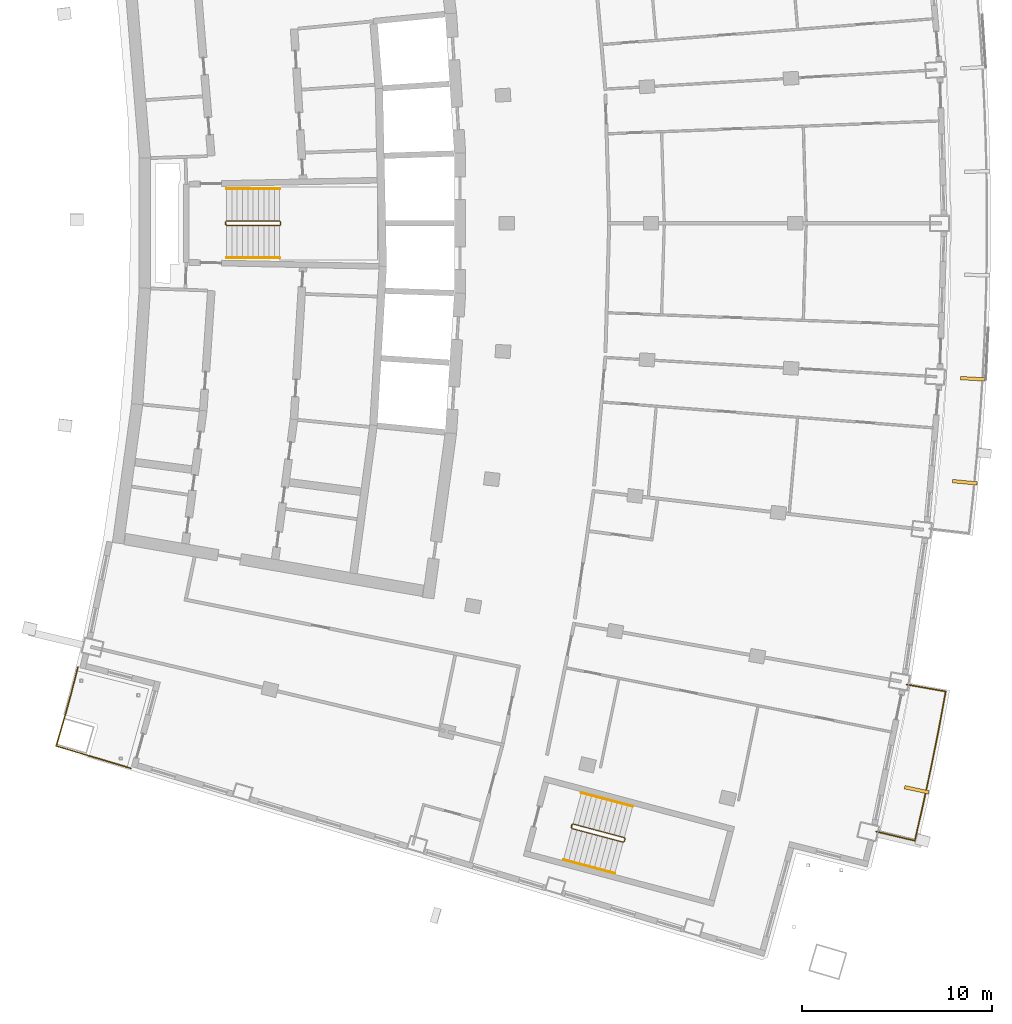
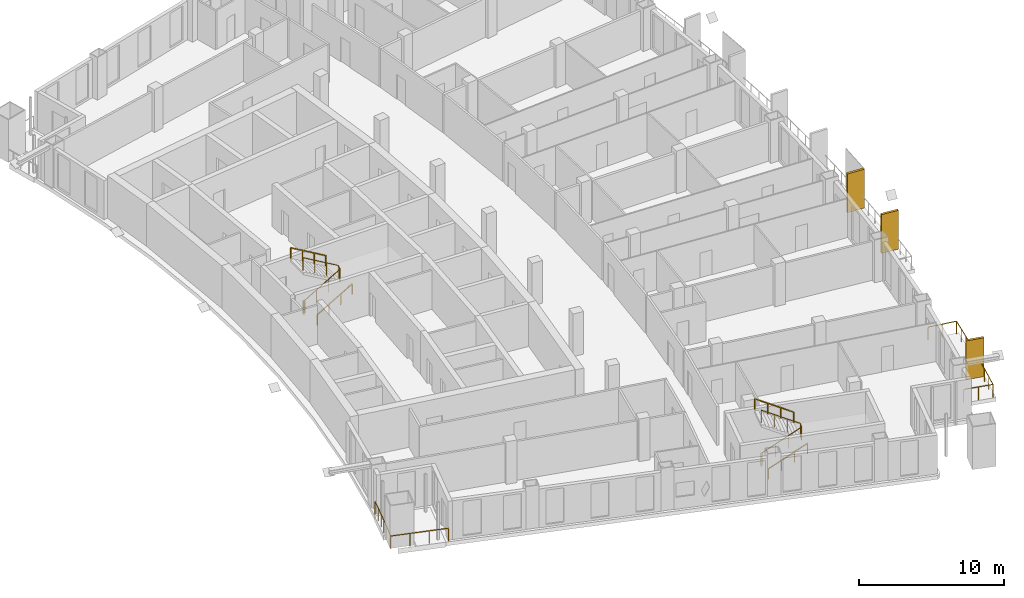
# One storey, part 17 of 19: 8 railings, 3 shading devices.
"""IFC4 building model written with IfcOpenShell, lengths in metres."""

from ifc_helpers import new_model, si_unit, direction, frame, origin, origin_with_axes, origin_2d, place, context, subcontext, project, spatial, rectangle, extrude, material, layer, layer_set, type_object, element, save


model = new_model("IFC4")

# Units and contexts
model_context = context("Model", 3, precision=1e-05, world=origin(), true_north=direction((0.0, 1.0)))
body_context = subcontext(model_context, "Body", "Model", "MODEL_VIEW")
ifc_project = project(units=[si_unit("LENGTHUNIT", "METRE"), si_unit("AREAUNIT", "SQUARE_METRE"), si_unit("VOLUMEUNIT", "CUBIC_METRE"), si_unit("PLANEANGLEUNIT", "RADIAN"), si_unit("MASSUNIT", "GRAM", prefix="KILO")], contexts=[model_context])

# Site, building, storey
site_placement = place(None, origin())
site = spatial("IfcSite", under=ifc_project, at=site_placement, CompositionType="ELEMENT")
building_placement = place(site_placement, origin())
building = spatial("IfcBuilding", under=site, at=building_placement, Name="Alderwake Tower", CompositionType="ELEMENT")
storey_placement = place(building_placement, frame((0.0, 0.0, 196.39990234375)))
storey = spatial("IfcBuildingStorey", under=building, at=storey_placement, Name="L48", CompositionType="ELEMENT", Elevation=196.39990234375)

# Railings
ifc_material_1 = material(Name="Stainless steel 316 rail and posts", Category="steel")
railing_type_1 = type_object("IfcRailingType", Name="Balcony guard 1100", PredefinedType="GUARDRAIL", material=ifc_material_1)
railing_1_placement = place(storey_placement, frame((55.256103515625, 28.9560546875, 0.0)))
element("IfcRailing", 1, at=railing_1_placement, inside=storey, type_object=railing_type_1, Name="Guard BF03", PredefinedType="GUARDRAIL", context=body_context, shape_type="SweptSolid", body=[
    extrude(rectangle(XDim=0.048095703125, YDim=0.048095703125, at=origin_2d()), frame((0.0, 0.0, 1.076171875), z_axis=(0.973057638874, -0.230561990427, 0.0), x_axis=(0.230561990427, 0.973057638874, 0.0)), (0.0, 0.0, 1.0), 2.099853515625),
    extrude(rectangle(XDim=0.048095703125, YDim=0.048095703125, at=origin_2d()), frame((2.043212890625, -0.484130859375, 1.076171875), z_axis=(0.223857490516, 0.974621887677, 0.0), x_axis=(-0.974621887677, 0.223857490516, 0.0)), (0.0, 0.0, 1.0), 1.95751953125),
    extrude(rectangle(XDim=0.048095703125, YDim=0.048095703125, at=origin_2d()), frame((2.4814453125, 1.423828125, 1.076171875), z_axis=(0.209877477425, 0.977727694437, 0.0), x_axis=(-0.977727694437, 0.209877477425, 0.0)), (0.0, 0.0, 1.0), 2.057861328125),
    extrude(rectangle(XDim=0.048095703125, YDim=0.048095703125, at=origin_2d()), frame((2.913330078125, 3.435791015625, 1.076171875), z_axis=(0.195659753975, 0.980671841481, 0.0), x_axis=(-0.980671841481, 0.195659753975, 0.0)), (0.0, 0.0, 1.0), 2.0576171875),
    extrude(rectangle(XDim=0.048095703125, YDim=0.048095703125, at=origin_2d()), frame((3.31591796875, 5.45361328125, 1.076171875), z_axis=(0.181562321204, 0.983379440256, 0.0), x_axis=(-0.983379440256, 0.181562321204, 0.0)), (0.0, 0.0, 1.0), 1.957763671875),
    extrude(rectangle(XDim=0.048095703125, YDim=0.048095703125, at=origin_2d()), frame((3.67138671875, 7.37890625, 1.076171875), z_axis=(-0.984614556243, 0.174740309131, 0.0), x_axis=(-0.174740309131, -0.984614556243, 0.0)), (0.0, 0.0, 1.0), 2.099853515625),
    extrude(rectangle(XDim=0.0419921875, YDim=0.0419921875, at=origin_2d()), frame((0.0, 0.0, 0.0), z_axis=(0.0, 0.0, 1.0), x_axis=(0.973057638874, -0.230561990427, 0.0)), (0.0, 0.0, 1.0), 1.052001953125),
    extrude(rectangle(XDim=0.0419921875, YDim=0.0419921875, at=origin_2d()), frame((1.021484375, -0.2421875, 0.0), z_axis=(0.0, 0.0, 1.0), x_axis=(0.973057638874, -0.230561990427, 0.0)), (0.0, 0.0, 1.0), 1.052001953125),
    extrude(rectangle(XDim=0.0419921875, YDim=0.0419921875, at=origin_2d()), frame((2.043212890625, -0.484130859375, 0.0), z_axis=(0.0, 0.0, 1.0), x_axis=(0.223857490516, 0.974621887677, 0.0)), (0.0, 0.0, 1.0), 1.052001953125),
    extrude(rectangle(XDim=0.0419921875, YDim=0.0419921875, at=origin_2d()), frame((2.26220703125, 0.4697265625, 0.0), z_axis=(0.0, 0.0, 1.0), x_axis=(0.223857490516, 0.974621887677, 0.0)), (0.0, 0.0, 1.0), 1.052001953125),
    extrude(rectangle(XDim=0.0419921875, YDim=0.0419921875, at=origin_2d()), frame((2.4814453125, 1.423828125, 0.0), z_axis=(0.0, 0.0, 1.0), x_axis=(0.209877477425, 0.977727694437, 0.0)), (0.0, 0.0, 1.0), 1.052001953125),
    extrude(rectangle(XDim=0.0419921875, YDim=0.0419921875, at=origin_2d()), frame((2.697265625, 2.4296875, 0.0), z_axis=(0.0, 0.0, 1.0), x_axis=(0.209877477425, 0.977727694437, 0.0)), (0.0, 0.0, 1.0), 1.052001953125),
    extrude(rectangle(XDim=0.0419921875, YDim=0.0419921875, at=origin_2d()), frame((2.913330078125, 3.435791015625, 0.0), z_axis=(0.0, 0.0, 1.0), x_axis=(0.195659753975, 0.980671841481, 0.0)), (0.0, 0.0, 1.0), 1.052001953125),
    extrude(rectangle(XDim=0.0419921875, YDim=0.0419921875, at=origin_2d()), frame((3.11474609375, 4.44482421875, 0.0), z_axis=(0.0, 0.0, 1.0), x_axis=(0.195659753975, 0.980671841481, 0.0)), (0.0, 0.0, 1.0), 1.052001953125),
    extrude(rectangle(XDim=0.0419921875, YDim=0.0419921875, at=origin_2d()), frame((3.31591796875, 5.45361328125, 0.0), z_axis=(0.0, 0.0, 1.0), x_axis=(0.181562321204, 0.983379440256, 0.0)), (0.0, 0.0, 1.0), 1.052001953125),
    extrude(rectangle(XDim=0.0419921875, YDim=0.0419921875, at=origin_2d()), frame((3.49365234375, 6.416259765625, 0.0), z_axis=(0.0, 0.0, 1.0), x_axis=(0.181562321204, 0.983379440256, 0.0)), (0.0, 0.0, 1.0), 1.052001953125),
    extrude(rectangle(XDim=0.0419921875, YDim=0.0419921875, at=origin_2d()), frame((3.67138671875, 7.37890625, 0.0), z_axis=(0.0, 0.0, 1.0), x_axis=(-0.984614556243, 0.174740309131, 0.0)), (0.0, 0.0, 1.0), 1.052001953125),
    extrude(rectangle(XDim=0.0419921875, YDim=0.0419921875, at=origin_2d()), frame((2.6376953125, 7.5625, 0.0), z_axis=(0.0, 0.0, 1.0), x_axis=(-0.984614556243, 0.174740309131, 0.0)), (0.0, 0.0, 1.0), 1.052001953125),
    extrude(rectangle(XDim=0.0419921875, YDim=0.0419921875, at=origin_2d()), frame((1.603759765625, 7.745849609375, 0.0), z_axis=(0.0, 0.0, 1.0), x_axis=(-0.984614556243, 0.174740309131, 0.0)), (0.0, 0.0, 1.0), 1.052001953125),
])
railing_2_placement = place(storey_placement, frame((13.210693359375, 37.612548828125, 0.0)))
element("IfcRailing", 2, at=railing_2_placement, inside=storey, type_object=railing_type_1, Name="Guard terrace RS", PredefinedType="GUARDRAIL", context=body_context, shape_type="SweptSolid", body=[
    extrude(rectangle(XDim=0.048095703125, YDim=0.048095703125, at=origin_2d()), frame((0.0, 0.0, 1.076171875), z_axis=(-0.251385381433, -0.967887075026, 0.0), x_axis=(0.967887075026, -0.251385381433, 0.0)), (0.0, 0.0, 1.0), 1.6015625),
    extrude(rectangle(XDim=0.048095703125, YDim=0.048095703125, at=origin_2d()), frame((-0.402587890625, -1.550048828125, 1.076171875), z_axis=(-0.266520638672, -0.963829211615, 0.0), x_axis=(0.963829211615, -0.266520638672, 0.0)), (0.0, 0.0, 1.0), 1.401611328125),
    extrude(rectangle(XDim=0.048095703125, YDim=0.048095703125, at=origin_2d()), frame((-0.776123046875, -2.90087890625, 1.076171875), z_axis=(-0.280093650878, -0.959972680204, 0.0), x_axis=(0.959972680204, -0.280093650878, 0.0)), (0.0, 0.0, 1.0), 1.30126953125),
    extrude(rectangle(XDim=0.048095703125, YDim=0.048095703125, at=origin_2d()), frame((-1.140625, -4.150146484375, 1.076171875), z_axis=(0.958066871889, -0.286544706789, 0.0), x_axis=(0.286544706789, 0.958066871889, 0.0)), (0.0, 0.0, 1.0), 4.099853515625),
    extrude(rectangle(XDim=0.0419921875, YDim=0.0419921875, at=origin_2d()), frame((0.0, 0.0, 0.0), z_axis=(0.0, 0.0, 1.0), x_axis=(-0.251385381433, -0.967887075026, 0.0)), (0.0, 0.0, 1.0), 1.052001953125),
    extrude(rectangle(XDim=0.0419921875, YDim=0.0419921875, at=origin_2d()), frame((-0.201171875, -0.77490234375, 0.0), z_axis=(0.0, 0.0, 1.0), x_axis=(-0.251385381433, -0.967887075026, 0.0)), (0.0, 0.0, 1.0), 1.052001953125),
    extrude(rectangle(XDim=0.0419921875, YDim=0.0419921875, at=origin_2d()), frame((-0.402587890625, -1.550048828125, 0.0), z_axis=(0.0, 0.0, 1.0), x_axis=(-0.266520638672, -0.963829211615, 0.0)), (0.0, 0.0, 1.0), 1.052001953125),
    extrude(rectangle(XDim=0.0419921875, YDim=0.0419921875, at=origin_2d()), frame((-0.58935546875, -2.2255859375, 0.0), z_axis=(0.0, 0.0, 1.0), x_axis=(-0.266520638672, -0.963829211615, 0.0)), (0.0, 0.0, 1.0), 1.052001953125),
    extrude(rectangle(XDim=0.0419921875, YDim=0.0419921875, at=origin_2d()), frame((-0.776123046875, -2.90087890625, 0.0), z_axis=(0.0, 0.0, 1.0), x_axis=(-0.280093650878, -0.959972680204, 0.0)), (0.0, 0.0, 1.0), 1.052001953125),
    extrude(rectangle(XDim=0.0419921875, YDim=0.0419921875, at=origin_2d()), frame((-1.140625, -4.150146484375, 0.0), z_axis=(0.0, 0.0, 1.0), x_axis=(0.958066871889, -0.286544706789, 0.0)), (0.0, 0.0, 1.0), 1.052001953125),
    extrude(rectangle(XDim=0.0419921875, YDim=0.0419921875, at=origin_2d()), frame((0.168701171875, -4.541748046875, 0.0), z_axis=(0.0, 0.0, 1.0), x_axis=(0.958066871889, -0.286544706789, 0.0)), (0.0, 0.0, 1.0), 1.052001953125),
    extrude(rectangle(XDim=0.0419921875, YDim=0.0419921875, at=origin_2d()), frame((1.47802734375, -4.933349609375, 0.0), z_axis=(0.0, 0.0, 1.0), x_axis=(0.958066871889, -0.286544706789, 0.0)), (0.0, 0.0, 1.0), 1.052001953125),
    extrude(rectangle(XDim=0.0419921875, YDim=0.0419921875, at=origin_2d()), frame((2.787353515625, -5.324951171875, 0.0), z_axis=(0.0, 0.0, 1.0), x_axis=(0.958066871889, -0.286544706789, 0.0)), (0.0, 0.0, 1.0), 1.052001953125),
])

# Shading devices
ifc_material_2 = material(Name="Bronze anodised aluminium", Category="aluminium")
ifc_layer = layer(ifc_material_2, 0.179931640625)
ifc_layer_set = layer_set([ifc_layer], Name="Facade fin 1300")
shading_device_type = type_object("IfcShadingDeviceType", Name="Facade fin 1300", PredefinedType="USERDEFINED", material=ifc_layer_set)
for number, where, z_axis, x_axis, name in (
    (3, (57.395751953125, 31.154541015625, 0.0), (0.0, 0.0, 1.0), (0.977210363881, -0.212273184185, 0.0), "Fin"),
    (4, (59.936279296875, 47.355224609375, 0.0), (0.0, 0.0, 1.0), (0.995279882363, -0.097046152751, 0.0), "Fin"),
    (5, (60.361083984375, 52.8076171875, 0.0), (0.0, 0.0, 1.0), (0.998301080988, -0.058266214038, 0.0), "Fin"),
):
    element("IfcShadingDevice", number, at=place(storey_placement, frame(where, z_axis=z_axis, x_axis=x_axis)), inside=storey, type_object=shading_device_type, Name=name, ObjectType="FIN", PredefinedType="USERDEFINED", context=body_context, shape_type="SweptSolid", body=[
        extrude(rectangle(XDim=1.300048828125, YDim=0.179931640625, at=origin_2d()), origin(), (0.0, 0.0, 1.0), 3.280029296875),
    ])

# Railings
ifc_material_3 = material(Name="Stainless steel guard", Category="steel")
railing_type_2 = type_object("IfcRailingType", Name="Stair guard 1100", PredefinedType="GUARDRAIL", material=ifc_material_3)
railing_3_placement = place(storey_placement, frame((20.989990234375, 60.925048828125, 0.0)))
element("IfcRailing", 6, at=railing_3_placement, inside=storey, type_object=railing_type_2, Name="L48 ST-B stair guard 1", PredefinedType="GUARDRAIL", context=body_context, shape_type="SweptSolid", body=[
    extrude(rectangle(XDim=0.048095703125, YDim=0.048095703125, at=origin_2d()), frame((0.0, 0.0, 1.076171875), z_axis=(0.0, 1.0, 0.0), x_axis=(-1.0, 0.0, 0.0)), (0.0, 0.0, 1.0), 0.14990234375),
    extrude(rectangle(XDim=0.048095703125, YDim=0.048095703125, at=origin_2d()), frame((0.0, 0.14990234375, 1.076171875), z_axis=(0.190089865108, -0.759432192796, 0.622196582865), x_axis=(0.970072785993, 0.242814311512, 0.0)), (0.0, 0.0, 1.0), 0.26318359375),
    extrude(rectangle(XDim=0.048095703125, YDim=0.048095703125, at=origin_2d()), frame((0.050048828125, -0.050048828125, 1.23974609375), z_axis=(0.863393664356, 0.0, 0.504530851732), x_axis=(0.0, 1.0, 0.0)), (0.0, 0.0, 1.0), 3.2431640625),
    extrude(rectangle(XDim=0.048095703125, YDim=0.048095703125, at=origin_2d()), frame((2.85009765625, -0.050048828125, 2.8759765625), z_axis=(0.705375805398, 0.708833529934, 0.0), x_axis=(-0.708833529934, 0.705375805398, 0.0)), (0.0, 0.0, 1.0), 0.070556640625),
    extrude(rectangle(XDim=0.048095703125, YDim=0.048095703125, at=origin_2d()), frame((2.89990234375, 0.0, 2.8759765625), z_axis=(0.0, 1.0, 0.0), x_axis=(-1.0, 0.0, 0.0)), (0.0, 0.0, 1.0), 0.14990234375),
    extrude(rectangle(XDim=0.048095703125, YDim=0.048095703125, at=origin_2d()), frame((2.89990234375, 0.14990234375, 2.8759765625), z_axis=(-0.279546231943, 0.280916556609, 0.91811752648), x_axis=(-0.708833529934, -0.705375805398, 0.0)), (0.0, 0.0, 1.0), 0.17822265625),
    extrude(rectangle(XDim=0.048095703125, YDim=0.048095703125, at=origin_2d()), frame((2.85009765625, 0.199951171875, 3.03955078125), z_axis=(-0.863360870873, 0.0, 0.504586966384), x_axis=(0.0, -1.0, 0.0)), (0.0, 0.0, 1.0), 3.2431640625),
    extrude(rectangle(XDim=0.0419921875, YDim=0.0419921875, at=origin_2d()), frame((0.0, 0.0, 0.0), z_axis=(0.0, 0.0, 1.0), x_axis=(0.0, 1.0, 0.0)), (0.0, 0.0, 1.0), 1.052001953125),
    extrude(rectangle(XDim=0.0419921875, YDim=0.0419921875, at=origin_2d()), frame((0.0, 0.14990234375, 0.0), z_axis=(0.0, 0.0, 1.0), x_axis=(0.242814311512, -0.970072785993, 0.0)), (0.0, 0.0, 1.0), 1.052001953125),
    extrude(rectangle(XDim=0.0419921875, YDim=0.0419921875, at=origin_2d()), frame((0.050048828125, -0.050048828125, 0.163818359375), z_axis=(0.0, 0.0, 1.0), x_axis=(1.0, 0.0, 0.0)), (0.0, 0.0, 1.0), 1.052001953125),
    extrude(rectangle(XDim=0.0419921875, YDim=0.0419921875, at=origin_2d()), frame((0.9833984375, -0.050048828125, 0.709228515625), z_axis=(0.0, 0.0, 1.0), x_axis=(1.0, 0.0, 0.0)), (0.0, 0.0, 1.0), 1.052001953125),
    extrude(rectangle(XDim=0.0419921875, YDim=0.0419921875, at=origin_2d()), frame((1.916748046875, -0.050048828125, 1.254638671875), z_axis=(0.0, 0.0, 1.0), x_axis=(1.0, 0.0, 0.0)), (0.0, 0.0, 1.0), 1.052001953125),
    extrude(rectangle(XDim=0.0419921875, YDim=0.0419921875, at=origin_2d()), frame((2.85009765625, -0.050048828125, 1.800048828125), z_axis=(0.0, 0.0, 1.0), x_axis=(0.705375805398, 0.708833529934, 0.0)), (0.0, 0.0, 1.0), 1.052001953125),
    extrude(rectangle(XDim=0.0419921875, YDim=0.0419921875, at=origin_2d()), frame((2.89990234375, 0.0, 1.800048828125), z_axis=(0.0, 0.0, 1.0), x_axis=(0.0, 1.0, 0.0)), (0.0, 0.0, 1.0), 1.052001953125),
    extrude(rectangle(XDim=0.0419921875, YDim=0.0419921875, at=origin_2d()), frame((2.89990234375, 0.14990234375, 1.800048828125), z_axis=(0.0, 0.0, 1.0), x_axis=(-0.705375805398, 0.708833529934, 0.0)), (0.0, 0.0, 1.0), 1.052001953125),
    extrude(rectangle(XDim=0.0419921875, YDim=0.0419921875, at=origin_2d()), frame((2.85009765625, 0.199951171875, 1.963623046875), z_axis=(0.0, 0.0, 1.0), x_axis=(-1.0, 0.0, 0.0)), (0.0, 0.0, 1.0), 1.052001953125),
    extrude(rectangle(XDim=0.0419921875, YDim=0.0419921875, at=origin_2d()), frame((1.916748046875, 0.199951171875, 2.509033203125), z_axis=(0.0, 0.0, 1.0), x_axis=(-1.0, 0.0, 0.0)), (0.0, 0.0, 1.0), 1.052001953125),
    extrude(rectangle(XDim=0.0419921875, YDim=0.0419921875, at=origin_2d()), frame((0.9833984375, 0.199951171875, 3.0546875), z_axis=(0.0, 0.0, 1.0), x_axis=(-1.0, 0.0, 0.0)), (0.0, 0.0, 1.0), 1.052001953125),
    extrude(rectangle(XDim=0.0419921875, YDim=0.0419921875, at=origin_2d()), frame((0.050048828125, 0.199951171875, 3.60009765625), z_axis=(0.0, 0.0, 1.0), x_axis=(-1.0, 0.0, 0.0)), (0.0, 0.0, 1.0), 1.052001953125),
])
railing_4_placement = place(storey_placement, frame((39.1943359375, 29.17431640625, 0.0)))
element("IfcRailing", 7, at=railing_4_placement, inside=storey, type_object=railing_type_2, Name="L48 ST-C stair guard 1", PredefinedType="GUARDRAIL", context=body_context, shape_type="SweptSolid", body=[
    extrude(rectangle(XDim=0.048095703125, YDim=0.048095703125, at=origin_2d()), frame((0.0, 0.0, 1.076171875), z_axis=(0.257459803502, 0.966289009345, 0.0), x_axis=(-0.966289009345, 0.257459803502, 0.0)), (0.0, 0.0, 1.0), 0.14990234375),
    extrude(rectangle(XDim=0.048095703125, YDim=0.048095703125, at=origin_2d()), frame((0.03857421875, 0.144775390625, 1.076171875), z_axis=(-0.012055935761, -0.782708444821, 0.622271761226), x_axis=(0.999881397308, -0.015401016783, 0.0)), (0.0, 0.0, 1.0), 0.26318359375),
    extrude(rectangle(XDim=0.048095703125, YDim=0.048095703125, at=origin_2d()), frame((0.035400390625, -0.061279296875, 1.23974609375), z_axis=(0.834313512087, -0.222222637163, 0.504517653885), x_axis=(0.257380452725, 0.966310148221, 0.0)), (0.0, 0.0, 1.0), 3.2431640625),
    extrude(rectangle(XDim=0.048095703125, YDim=0.048095703125, at=origin_2d()), frame((2.7412109375, -0.781982421875, 2.8759765625), z_axis=(0.865031189262, 0.501718089772, 0.0), x_axis=(-0.501718089772, 0.865031189262, 0.0)), (0.0, 0.0, 1.0), 0.070556640625),
    extrude(rectangle(XDim=0.048095703125, YDim=0.048095703125, at=origin_2d()), frame((2.80224609375, -0.74658203125, 2.8759765625), z_axis=(0.257055032184, 0.966396766566, 0.0), x_axis=(-0.966396766566, 0.257055032184, 0.0)), (0.0, 0.0, 1.0), 0.150146484375),
    extrude(rectangle(XDim=0.048095703125, YDim=0.048095703125, at=origin_2d()), frame((2.8408203125, -0.6015625, 2.8759765625), z_axis=(-0.198625291617, 0.343827228937, 0.91778583023), x_axis=(-0.865898279276, -0.500220121494, 0.0)), (0.0, 0.0, 1.0), 0.17822265625),
    extrude(rectangle(XDim=0.048095703125, YDim=0.048095703125, at=origin_2d()), frame((2.805419921875, -0.540283203125, 3.03955078125), z_axis=(-0.834258940753, 0.22222815314, 0.504605457487), x_axis=(-0.257402139082, -0.966304371715, 0.0)), (0.0, 0.0, 1.0), 3.2431640625),
    extrude(rectangle(XDim=0.0419921875, YDim=0.0419921875, at=origin_2d()), frame((0.0, 0.0, 0.0), z_axis=(0.0, 0.0, 1.0), x_axis=(0.257459803502, 0.966289009345, 0.0)), (0.0, 0.0, 1.0), 1.052001953125),
    extrude(rectangle(XDim=0.0419921875, YDim=0.0419921875, at=origin_2d()), frame((0.03857421875, 0.144775390625, 0.0), z_axis=(0.0, 0.0, 1.0), x_axis=(-0.015401016783, -0.999881397308, 0.0)), (0.0, 0.0, 1.0), 1.052001953125),
    extrude(rectangle(XDim=0.0419921875, YDim=0.0419921875, at=origin_2d()), frame((0.035400390625, -0.061279296875, 0.163818359375), z_axis=(0.0, 0.0, 1.0), x_axis=(0.966310148221, -0.257380452725, 0.0)), (0.0, 0.0, 1.0), 1.052001953125),
    extrude(rectangle(XDim=0.0419921875, YDim=0.0419921875, at=origin_2d()), frame((0.937255859375, -0.301513671875, 0.709228515625), z_axis=(0.0, 0.0, 1.0), x_axis=(0.966310148221, -0.257380452725, 0.0)), (0.0, 0.0, 1.0), 1.052001953125),
    extrude(rectangle(XDim=0.0419921875, YDim=0.0419921875, at=origin_2d()), frame((1.83935546875, -0.541748046875, 1.254638671875), z_axis=(0.0, 0.0, 1.0), x_axis=(0.966310148221, -0.257380452725, 0.0)), (0.0, 0.0, 1.0), 1.052001953125),
    extrude(rectangle(XDim=0.0419921875, YDim=0.0419921875, at=origin_2d()), frame((2.7412109375, -0.781982421875, 1.800048828125), z_axis=(0.0, 0.0, 1.0), x_axis=(0.865031189262, 0.501718089772, 0.0)), (0.0, 0.0, 1.0), 1.052001953125),
    extrude(rectangle(XDim=0.0419921875, YDim=0.0419921875, at=origin_2d()), frame((2.80224609375, -0.74658203125, 1.800048828125), z_axis=(0.0, 0.0, 1.0), x_axis=(0.257055032184, 0.966396766566, 0.0)), (0.0, 0.0, 1.0), 1.052001953125),
    extrude(rectangle(XDim=0.0419921875, YDim=0.0419921875, at=origin_2d()), frame((2.8408203125, -0.6015625, 1.800048828125), z_axis=(0.0, 0.0, 1.0), x_axis=(-0.500220121494, 0.865898279276, 0.0)), (0.0, 0.0, 1.0), 1.052001953125),
    extrude(rectangle(XDim=0.0419921875, YDim=0.0419921875, at=origin_2d()), frame((2.805419921875, -0.540283203125, 1.963623046875), z_axis=(0.0, 0.0, 1.0), x_axis=(-0.966304371715, 0.257402139082, 0.0)), (0.0, 0.0, 1.0), 1.052001953125),
    extrude(rectangle(XDim=0.0419921875, YDim=0.0419921875, at=origin_2d()), frame((1.903564453125, -0.300048828125, 2.509033203125), z_axis=(0.0, 0.0, 1.0), x_axis=(-0.966304371715, 0.257402139082, 0.0)), (0.0, 0.0, 1.0), 1.052001953125),
    extrude(rectangle(XDim=0.0419921875, YDim=0.0419921875, at=origin_2d()), frame((1.001708984375, -0.059814453125, 3.0546875), z_axis=(0.0, 0.0, 1.0), x_axis=(-0.966304371715, 0.257402139082, 0.0)), (0.0, 0.0, 1.0), 1.052001953125),
    extrude(rectangle(XDim=0.0419921875, YDim=0.0419921875, at=origin_2d()), frame((0.099853515625, 0.180419921875, 3.60009765625), z_axis=(0.0, 0.0, 1.0), x_axis=(-0.966304371715, 0.257402139082, 0.0)), (0.0, 0.0, 1.0), 1.052001953125),
])
ifc_material_4 = material(Name="Stainless steel handrail", Category="steel")
railing_type_3 = type_object("IfcRailingType", Name="Stair handrail 900", PredefinedType="HANDRAIL", material=ifc_material_4)
railing_5_placement = place(storey_placement, frame((21.0400390625, 59.175048828125, 0.163818359375)))
element("IfcRailing", 8, at=railing_5_placement, inside=storey, type_object=railing_type_3, Name="L48 ST-B stair handrail 1", PredefinedType="HANDRAIL", context=body_context, shape_type="SweptSolid", body=[
    extrude(rectangle(XDim=0.048095703125, YDim=0.048095703125, at=origin_2d()), frame((0.0, 0.0, 0.8759765625), z_axis=(0.863393664356, 0.0, 0.504530851732), x_axis=(0.0, 1.0, 0.0)), (0.0, 0.0, 1.0), 3.2431640625),
    extrude(rectangle(XDim=0.0419921875, YDim=0.0419921875, at=origin_2d()), origin_with_axes(), (0.0, 0.0, 1.0), 0.851806640625),
    extrude(rectangle(XDim=0.0419921875, YDim=0.0419921875, at=origin_2d()), frame((0.933349609375, 0.0, 0.54541015625), z_axis=(0.0, 0.0, 1.0), x_axis=(1.0, 0.0, 0.0)), (0.0, 0.0, 1.0), 0.851806640625),
    extrude(rectangle(XDim=0.0419921875, YDim=0.0419921875, at=origin_2d()), frame((1.86669921875, 0.0, 1.0908203125), z_axis=(0.0, 0.0, 1.0), x_axis=(1.0, 0.0, 0.0)), (0.0, 0.0, 1.0), 0.851806640625),
    extrude(rectangle(XDim=0.0419921875, YDim=0.0419921875, at=origin_2d()), frame((2.800048828125, 0.0, 1.63623046875), z_axis=(0.0, 0.0, 1.0), x_axis=(1.0, 0.0, 0.0)), (0.0, 0.0, 1.0), 0.851806640625),
])
railing_6_placement = place(storey_placement, frame((23.840087890625, 62.824951171875, 1.963623046875)))
element("IfcRailing", 9, at=railing_6_placement, inside=storey, type_object=railing_type_3, Name="L48 ST-B stair handrail 2", PredefinedType="HANDRAIL", context=body_context, shape_type="SweptSolid", body=[
    extrude(rectangle(XDim=0.048095703125, YDim=0.048095703125, at=origin_2d()), frame((0.0, 0.0, 0.8759765625), z_axis=(-0.863360870873, 0.0, 0.504586966384), x_axis=(0.0, -1.0, 0.0)), (0.0, 0.0, 1.0), 3.2431640625),
    extrude(rectangle(XDim=0.0419921875, YDim=0.0419921875, at=origin_2d()), frame((0.0, 0.0, 0.0), z_axis=(0.0, 0.0, 1.0), x_axis=(-1.0, 0.0, 0.0)), (0.0, 0.0, 1.0), 0.851806640625),
    extrude(rectangle(XDim=0.0419921875, YDim=0.0419921875, at=origin_2d()), frame((-0.933349609375, 0.0, 0.54541015625), z_axis=(0.0, 0.0, 1.0), x_axis=(-1.0, 0.0, 0.0)), (0.0, 0.0, 1.0), 0.851806640625),
    extrude(rectangle(XDim=0.0419921875, YDim=0.0419921875, at=origin_2d()), frame((-1.86669921875, 0.0, 1.091064453125), z_axis=(0.0, 0.0, 1.0), x_axis=(-1.0, 0.0, 0.0)), (0.0, 0.0, 1.0), 0.851806640625),
    extrude(rectangle(XDim=0.0419921875, YDim=0.0419921875, at=origin_2d()), frame((-2.800048828125, 0.0, 1.636474609375), z_axis=(0.0, 0.0, 1.0), x_axis=(-1.0, 0.0, 0.0)), (0.0, 0.0, 1.0), 0.851806640625),
])
railing_7_placement = place(storey_placement, frame((38.792236328125, 27.47021484375, 0.163818359375)))
element("IfcRailing", 10, at=railing_7_placement, inside=storey, type_object=railing_type_3, Name="L48 ST-C stair handrail 1", PredefinedType="HANDRAIL", context=body_context, shape_type="SweptSolid", body=[
    extrude(rectangle(XDim=0.048095703125, YDim=0.048095703125, at=origin_2d()), frame((0.0, 0.0, 0.8759765625), z_axis=(0.834304587439, -0.222165027751, 0.504557782442), x_axis=(0.25732071773, 0.966326056891, 0.0)), (0.0, 0.0, 1.0), 3.242919921875),
    extrude(rectangle(XDim=0.0419921875, YDim=0.0419921875, at=origin_2d()), frame((0.0, 0.0, 0.0), z_axis=(0.0, 0.0, 1.0), x_axis=(0.966326056891, -0.25732071773, 0.0)), (0.0, 0.0, 1.0), 0.851806640625),
    extrude(rectangle(XDim=0.0419921875, YDim=0.0419921875, at=origin_2d()), frame((0.90185546875, -0.240234375, 0.54541015625), z_axis=(0.0, 0.0, 1.0), x_axis=(0.966326056891, -0.25732071773, 0.0)), (0.0, 0.0, 1.0), 0.851806640625),
    extrude(rectangle(XDim=0.0419921875, YDim=0.0419921875, at=origin_2d()), frame((1.8037109375, -0.480224609375, 1.0908203125), z_axis=(0.0, 0.0, 1.0), x_axis=(0.966326056891, -0.25732071773, 0.0)), (0.0, 0.0, 1.0), 0.851806640625),
    extrude(rectangle(XDim=0.0419921875, YDim=0.0419921875, at=origin_2d()), frame((2.70556640625, -0.720458984375, 1.63623046875), z_axis=(0.0, 0.0, 1.0), x_axis=(0.966326056891, -0.25732071773, 0.0)), (0.0, 0.0, 1.0), 0.851806640625),
])
railing_8_placement = place(storey_placement, frame((42.437255859375, 30.276611328125, 1.963623046875)))
element("IfcRailing", 11, at=railing_8_placement, inside=storey, type_object=railing_type_3, Name="L48 ST-C stair handrail 2", PredefinedType="HANDRAIL", context=body_context, shape_type="SweptSolid", body=[
    extrude(rectangle(XDim=0.048095703125, YDim=0.048095703125, at=origin_2d()), frame((0.0, 0.0, 0.8759765625), z_axis=(-0.834258940753, 0.22222815314, 0.504605457487), x_axis=(-0.257402139082, -0.966304371715, 0.0)), (0.0, 0.0, 1.0), 3.2431640625),
    extrude(rectangle(XDim=0.0419921875, YDim=0.0419921875, at=origin_2d()), frame((0.0, 0.0, 0.0), z_axis=(0.0, 0.0, 1.0), x_axis=(-0.966304371715, 0.257402139082, 0.0)), (0.0, 0.0, 1.0), 0.851806640625),
    extrude(rectangle(XDim=0.0419921875, YDim=0.0419921875, at=origin_2d()), frame((-0.90185546875, 0.240234375, 0.54541015625), z_axis=(0.0, 0.0, 1.0), x_axis=(-0.966304371715, 0.257402139082, 0.0)), (0.0, 0.0, 1.0), 0.851806640625),
    extrude(rectangle(XDim=0.0419921875, YDim=0.0419921875, at=origin_2d()), frame((-1.8037109375, 0.48046875, 1.091064453125), z_axis=(0.0, 0.0, 1.0), x_axis=(-0.966304371715, 0.257402139082, 0.0)), (0.0, 0.0, 1.0), 0.851806640625),
    extrude(rectangle(XDim=0.0419921875, YDim=0.0419921875, at=origin_2d()), frame((-2.70556640625, 0.720703125, 1.636474609375), z_axis=(0.0, 0.0, 1.0), x_axis=(-0.966304371715, 0.257402139082, 0.0)), (0.0, 0.0, 1.0), 0.851806640625),
])

save(model, "model.ifc")
